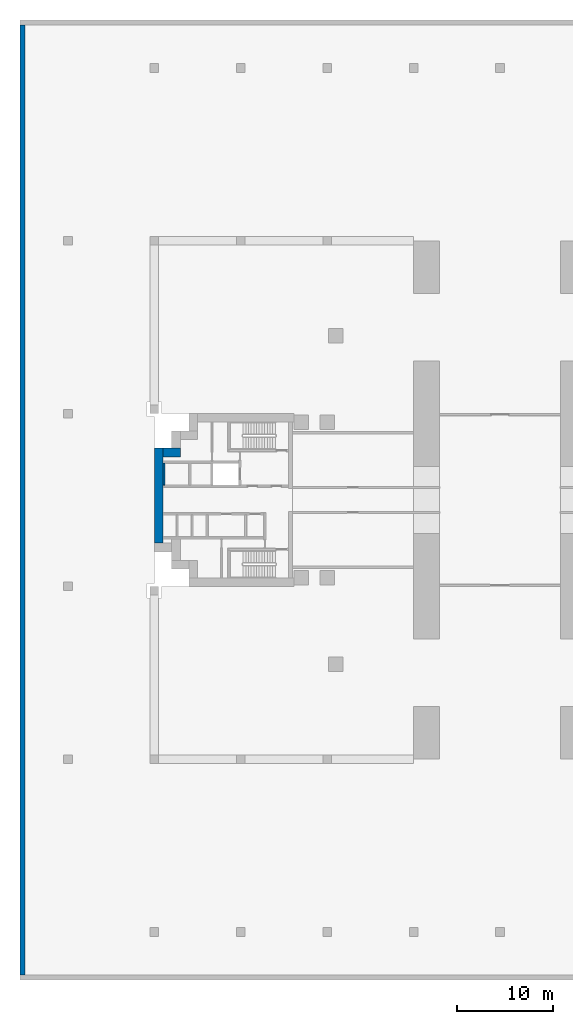
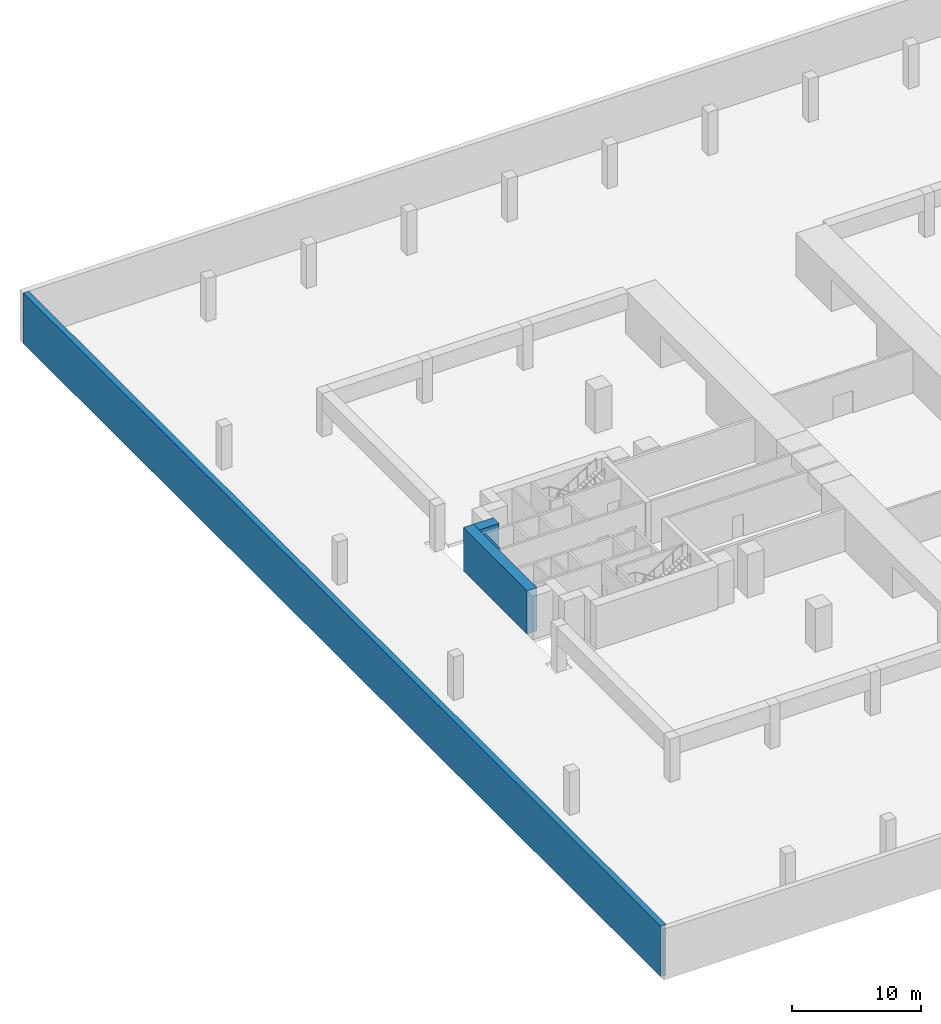
# One storey, part 4 of 9: 4 walls.
"""IFC4 building model written with IfcOpenShell, lengths in metres."""

from ifc_helpers import new_model, si_unit, direction, frame, frame_2d, origin, place, context, subcontext, project, spatial, rectangle, extrude, material, layer, layer_set, type_object, element, save


model = new_model("IFC4")

# Units and contexts
model_context = context("Model", 3, precision=1e-05, world=origin(), true_north=direction((0.0, 1.0)))
body_context = subcontext(model_context, "Body", "Model", "MODEL_VIEW")
ifc_project = project(units=[si_unit("LENGTHUNIT", "METRE"), si_unit("AREAUNIT", "SQUARE_METRE"), si_unit("VOLUMEUNIT", "CUBIC_METRE"), si_unit("PLANEANGLEUNIT", "RADIAN"), si_unit("MASSUNIT", "GRAM", prefix="KILO")], contexts=[model_context])

# Site, building, storey
site_placement = place(None, origin())
site = spatial("IfcSite", under=ifc_project, at=site_placement, CompositionType="ELEMENT")
building_placement = place(site_placement, origin())
building = spatial("IfcBuilding", under=site, at=building_placement, Name="Perihelion Cross Residences", CompositionType="ELEMENT")
storey_placement = place(building_placement, frame((0.0, 0.0, -4.5)))
storey = spatial("IfcBuildingStorey", under=building, at=storey_placement, Name="B1", CompositionType="ELEMENT", Elevation=-4.5)

# Walls
ifc_material_1 = material(Name="Concrete C40/50", Category="concrete")
ifc_layer_1 = layer(ifc_material_1, 0.5)
ifc_layer_set_1 = layer_set([ifc_layer_1], Name="Basement retaining wall 500 concrete C40/50")
wall_type_1 = type_object("IfcWallType", Name="Basement retaining wall 500 concrete C40/50", PredefinedType="SOLIDWALL", material=ifc_layer_set_1)
wall_1_placement = place(storey_placement, frame((-49.75, -49.5, -0.300048828125), z_axis=(0.0, 0.0, 1.0), x_axis=(0.0, 1.0, 0.0)))
element("IfcWall", 1, at=wall_1_placement, inside=storey, type_object=wall_type_1, Name="Wall SW1 B1 retaining west", PredefinedType="SOLIDWALL", context=body_context, shape_type="SweptSolid", body=[
    extrude(rectangle(XDim=99.0, YDim=0.5, at=frame_2d((49.5, 0.0))), origin(), (0.0, 0.0, 1.0), 4.800048828125),
])
ifc_material_2 = material(Name="Concrete C60/75", Category="concrete")
ifc_layer_2 = layer(ifc_material_2, 0.89990234375)
ifc_layer_set_2 = layer_set([ifc_layer_2], Name="Core wall, outer 900")
wall_type_2 = type_object("IfcWallType", Name="Core wall, outer 900", PredefinedType="SHEAR", material=ifc_layer_set_2)
wall_2_placement = place(storey_placement, frame((-35.550048828125, -4.5, 0.0), z_axis=(0.0, 0.0, 1.0), x_axis=(0.0, 1.0, 0.0)))
element("IfcWall", 2, at=wall_2_placement, inside=storey, type_object=wall_type_2, Name="West core core wall, outer", PredefinedType="SHEAR", context=body_context, shape_type="SweptSolid", body=[
    extrude(rectangle(XDim=9.89990234375, YDim=0.89990234375, at=frame_2d((4.949951171875, 0.0))), origin(), (0.0, 0.0, 1.0), 4.10009765625),
])
wall_3_placement = place(storey_placement, frame((-35.10009765625, 4.949951171875, 0.0), z_axis=(0.0, 0.0, 1.0), x_axis=(1.0, 0.0, 0.0)))
element("IfcWall", 3, at=wall_3_placement, inside=storey, type_object=wall_type_2, Name="West core core wall, outer", PredefinedType="SHEAR", context=body_context, shape_type="SweptSolid", body=[
    extrude(rectangle(XDim=1.800048828125, YDim=0.89990234375, at=frame_2d((0.89990234375, 0.0))), origin(), (0.0, 0.0, 1.0), 4.10009765625),
])
ifc_material_3 = material(Name="Concrete C50/60", Category="concrete")
ifc_layer_3 = layer(ifc_material_3, 0.199951171875)
ifc_layer_set_3 = layer_set([ifc_layer_3], Name="Shaft wall 200")
wall_type_3 = type_object("IfcWallType", Name="Shaft wall 200", PredefinedType="SOLIDWALL", material=ifc_layer_set_3)
wall_4_placement = place(storey_placement, frame((-35.0, 1.550048828125, 0.0), z_axis=(0.0, 0.0, 1.0), x_axis=(0.0, 1.0, 0.0)))
element("IfcWall", 4, at=wall_4_placement, inside=storey, type_object=wall_type_3, Name="West core shaft wall", PredefinedType="SOLIDWALL", context=body_context, shape_type="SweptSolid", body=[
    extrude(rectangle(XDim=2.300048828125, YDim=0.199951171875, at=frame_2d((1.14990234375, 0.0))), origin(), (0.0, 0.0, 1.0), 4.10009765625),
])

save(model, "model.ifc")
